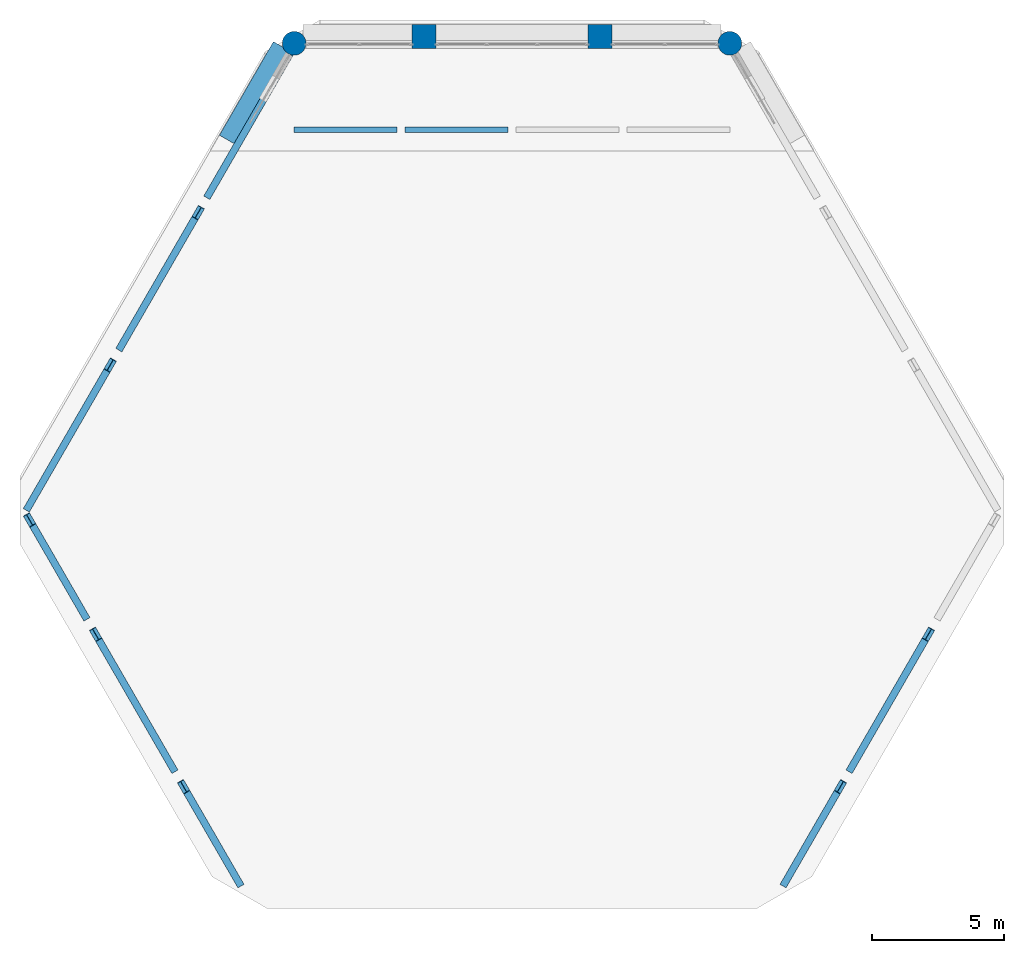
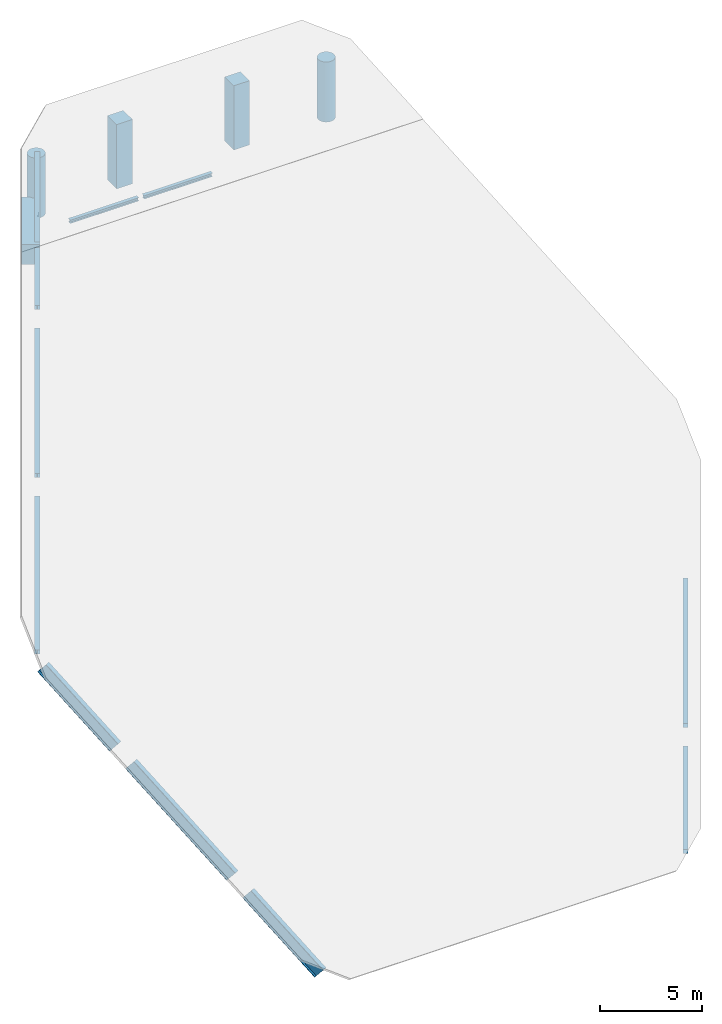
# One storey, part 1 of 7: 10 members, 4 columns, 1 beam.
"""IFC4 building model written with IfcOpenShell, lengths in metres."""

from ifc_helpers import new_model, si_unit, direction, frame, origin, origin_2d, place, context, subcontext, project, spatial, rectangle, circle, i_section, extrude, material, material_profile, profile_set, type_object, element, save


model = new_model("IFC4")

# Units and contexts
model_context = context("Model", 3, precision=1e-05, world=origin(), true_north=direction((0.0, 1.0)))
body_context = subcontext(model_context, "Body", "Model", "MODEL_VIEW")
ifc_project = project(units=[si_unit("LENGTHUNIT", "METRE"), si_unit("AREAUNIT", "SQUARE_METRE"), si_unit("VOLUMEUNIT", "CUBIC_METRE"), si_unit("PLANEANGLEUNIT", "RADIAN"), si_unit("MASSUNIT", "GRAM", prefix="KILO")], contexts=[model_context])

# Site, building, storey
site_placement = place(None, origin())
site = spatial("IfcSite", under=ifc_project, at=site_placement, CompositionType="ELEMENT")
building_placement = place(site_placement, origin())
building = spatial("IfcBuilding", under=site, at=building_placement, Name="Ostrander Bayou Hotel Tower", CompositionType="ELEMENT")
storey_placement = place(building_placement, frame((0.0, 0.0, 302.0)))
storey = spatial("IfcBuildingStorey", under=building, at=storey_placement, Name="Roof 74", CompositionType="ELEMENT", Elevation=302.0)

# Columns
ifc_material_1 = material(Name="Concrete f'c 60 MPa", Category="concrete")
ifc_material_profile_1 = material_profile(ifc_material_1, circle(Radius=0.449951171875, at=origin_2d()))
ifc_profile_set_1 = profile_set([ifc_material_profile_1], Name="Concrete f'c 60 MPa")
column_type_1 = type_object("IfcColumnType", Name="C7 round column 900 mm f'c 60 MPa", PredefinedType="COLUMN", material=ifc_profile_set_1)
for number, where, z_axis, x_axis, name in (
    (1, (-8.2421875, 16.588623046875, -1.199951171875), (0.0, 0.0, 1.0), (1.0, 0.0, 0.0), "C7 L74 K0"),
    (2, (8.2421875, 16.588623046875, -1.199951171875), (0.0, 0.0, 1.0), (1.0, 0.0, 0.0), "C7 L74 K5"),
):
    element("IfcColumn", number, at=place(storey_placement, frame(where, z_axis=z_axis, x_axis=x_axis)), inside=storey, type_object=column_type_1, Name=name, PredefinedType="COLUMN", context=body_context, shape_type="SweptSolid", body=[
        extrude(circle(Radius=0.449951171875, at=origin_2d()), origin(), (0.0, 0.0, 1.0), 3.616455078125),
    ])
ifc_material_2 = material(Name="Concrete f'c 60 MPa", Category="concrete")
ifc_material_profile_2 = material_profile(ifc_material_2, rectangle(XDim=0.89990234375, YDim=0.89990234375, at=origin_2d()))
ifc_profile_set_2 = profile_set([ifc_material_profile_2], Name="Concrete f'c 60 MPa")
column_type_2 = type_object("IfcColumnType", Name="C8 square column 900 x 900 mm f'c 60 MPa", PredefinedType="COLUMN", material=ifc_profile_set_2)
for number, where, z_axis, x_axis, name in (
    (3, (3.329345703125, 16.85009765625, -1.199951171875), (0.0, 0.0, 1.0), (1.0, 0.0, 0.0), "C8 L74 N1"),
    (4, (-3.329345703125, 16.85009765625, -1.199951171875), (0.0, 0.0, 1.0), (1.0, 0.0, 0.0), "C8 L74 N2"),
):
    element("IfcColumn", number, at=place(storey_placement, frame(where, z_axis=z_axis, x_axis=x_axis)), inside=storey, type_object=column_type_2, Name=name, PredefinedType="COLUMN", context=body_context, shape_type="SweptSolid", body=[
        extrude(rectangle(XDim=0.89990234375, YDim=0.89990234375, at=origin_2d()), origin(), (0.0, 0.0, 1.0), 3.862548828125),
    ])

# Members
ifc_material_3 = material(Name="Steel ASTM A992", Category="steel")
ifc_material_profile_3 = material_profile(ifc_material_3, i_section(OverallWidth=0.203125, OverallDepth=0.203125, WebThickness=0.00732421875, FlangeThickness=0.010986328125, at=origin_2d()))
ifc_profile_set_3 = profile_set([ifc_material_profile_3], Name="Steel ASTM A992")
member_type_1 = type_object("IfcMemberType", Name="CP4 crown purlin W8x31", PredefinedType="PURLIN", material=ifc_profile_set_3)
member_1_placement = place(storey_placement, frame((-8.24609375, 13.322021484375, 0.30810546875), z_axis=(1.0, 0.0, 0.0), x_axis=(0.0, 1.0, 0.0)))
element("IfcMember", 5, at=member_1_placement, inside=storey, type_object=member_type_1, Name="CP4 P1-11", PredefinedType="PURLIN", context=body_context, shape_type="SweptSolid", body=[
    extrude(i_section(OverallWidth=0.203125, OverallDepth=0.203125, WebThickness=0.00732421875, FlangeThickness=0.010986328125, at=origin_2d()), origin(), (0.0, 0.0, 1.0), 3.89208984375),
])
member_2_placement = place(storey_placement, frame((-4.046142578125, 13.322021484375, 0.30810546875), z_axis=(1.0, 0.0, 0.0), x_axis=(0.0, 1.0, 0.0)))
element("IfcMember", 6, at=member_2_placement, inside=storey, type_object=member_type_1, Name="CP4 P2-22", PredefinedType="PURLIN", context=body_context, shape_type="SweptSolid", body=[
    extrude(i_section(OverallWidth=0.203125, OverallDepth=0.203125, WebThickness=0.00732421875, FlangeThickness=0.010986328125, at=origin_2d()), origin(), (0.0, 0.0, 1.0), 3.892333984375),
])
ifc_material_4 = material(Name="Steel ASTM A992", Category="steel")
ifc_material_profile_4 = material_profile(ifc_material_4, i_section(OverallWidth=0.26708984375, OverallDepth=0.779052734375, WebThickness=0.0166015625, FlangeThickness=0.030029296875, at=origin_2d()))
ifc_profile_set_4 = profile_set([ifc_material_profile_4], Name="Steel ASTM A992")
member_type_2 = type_object("IfcMemberType", Name="CR2 crown rafter W30x148", PredefinedType="RAFTER", material=ifc_profile_set_4)
member_3_placement = place(storey_placement, frame((-8.37451171875, 16.2421875, 2.625), z_axis=(-0.387451114147, -0.671091879347, -0.632073827666), x_axis=(0.866027618295, -0.499996164336, 0.0)))
element("IfcMember", 7, at=member_3_placement, inside=storey, type_object=member_type_2, Name="CR2 NW 1", PredefinedType="RAFTER", context=body_context, shape_type="SweptSolid", body=[
    extrude(i_section(OverallWidth=0.26708984375, OverallDepth=0.779052734375, WebThickness=0.0166015625, FlangeThickness=0.030029296875, at=origin_2d()), origin(), (0.0, 0.0, 1.0), 7.871337890625),
])
member_4_placement = place(storey_placement, frame((-11.874267578125, 10.180419921875, -3.08447265625), z_axis=(-0.387453729233, -0.67109587763, -0.632067979518), x_axis=(0.866027446915, -0.499996461177, 0.0)))
element("IfcMember", 8, at=member_4_placement, inside=storey, type_object=member_type_2, Name="CR2 NW 2", PredefinedType="RAFTER", context=body_context, shape_type="SweptSolid", body=[
    extrude(i_section(OverallWidth=0.26708984375, OverallDepth=0.779052734375, WebThickness=0.0166015625, FlangeThickness=0.030029296875, at=origin_2d()), origin(), (0.0, 0.0, 1.0), 7.431640625),
])
member_5_placement = place(storey_placement, frame((-15.20361328125, 4.413818359375, -8.515869140625), z_axis=(-0.387459178831, -0.671074831348, -0.632086984102), x_axis=(0.866017611601, -0.500013496215, 0.0)))
element("IfcMember", 9, at=member_5_placement, inside=storey, type_object=member_type_2, Name="CR2 NW 3", PredefinedType="RAFTER", context=body_context, shape_type="SweptSolid", body=[
    extrude(i_section(OverallWidth=0.26708984375, OverallDepth=0.779052734375, WebThickness=0.0166015625, FlangeThickness=0.030029296875, at=origin_2d()), origin(), (0.0, 0.0, 1.0), 7.871337890625),
])
member_6_placement = place(storey_placement, frame((-18.25341796875, -1.4443359375, -14.03369140625), z_axis=(0.387476727048, -0.671087523329, -0.632062751654), x_axis=(0.86601190052, 0.50002338761, 0.0)))
element("IfcMember", 10, at=member_6_placement, inside=storey, type_object=member_type_2, Name="CR2 SW 1", PredefinedType="RAFTER", context=body_context, shape_type="SweptSolid", body=[
    extrude(i_section(OverallWidth=0.26708984375, OverallDepth=0.779052734375, WebThickness=0.0166015625, FlangeThickness=0.030029296875, at=origin_2d()), origin(), (0.0, 0.0, 1.0), 5.286376953125),
])
member_7_placement = place(storey_placement, frame((-15.755126953125, -5.771484375, -18.109130859375), z_axis=(0.387462271376, -0.671077820706, -0.632081914641), x_axis=(0.866016847947, 0.500014818852, 0.0)))
element("IfcMember", 11, at=member_7_placement, inside=storey, type_object=member_type_2, Name="CR2 SW 2", PredefinedType="RAFTER", context=body_context, shape_type="SweptSolid", body=[
    extrude(i_section(OverallWidth=0.26708984375, OverallDepth=0.779052734375, WebThickness=0.0166015625, FlangeThickness=0.030029296875, at=origin_2d()), origin(), (0.0, 0.0, 1.0), 7.431396484375),
])
for number, where, z_axis, x_axis, name in (
    (12, (-12.42578125, -11.5380859375, -23.540771484375), (0.387476727048, -0.671087523329, -0.632062751654), (0.86601190052, 0.50002338761, 0.0), "CR2 SW 3"),
    (13, (10.37744140625, -15.085693359375, -26.882080078125), (0.387476727048, 0.671087523329, 0.632062751654), (-0.86601190052, 0.50002338761, 0.0), "CR2 SE 1"),
):
    element("IfcMember", number, at=place(storey_placement, frame(where, z_axis=z_axis, x_axis=x_axis)), inside=storey, type_object=member_type_2, Name=name, PredefinedType="RAFTER", context=body_context, shape_type="SweptSolid", body=[
        extrude(i_section(OverallWidth=0.26708984375, OverallDepth=0.779052734375, WebThickness=0.0166015625, FlangeThickness=0.030029296875, at=origin_2d()), origin(), (0.0, 0.0, 1.0), 5.286376953125),
    ])
member_8_placement = place(storey_placement, frame((12.875732421875, -10.758544921875, -22.806396484375), z_axis=(0.387462271376, 0.671077820706, 0.632081914641), x_axis=(-0.866016847947, 0.500014818852, 0.0)))
element("IfcMember", 14, at=member_8_placement, inside=storey, type_object=member_type_2, Name="CR2 SE 2", PredefinedType="RAFTER", context=body_context, shape_type="SweptSolid", body=[
    extrude(i_section(OverallWidth=0.26708984375, OverallDepth=0.779052734375, WebThickness=0.0166015625, FlangeThickness=0.030029296875, at=origin_2d()), origin(), (0.0, 0.0, 1.0), 7.431396484375),
])

# Beam
ifc_material_5 = material(Name="Concrete f'c 60 MPa", Category="concrete")
ifc_material_profile_5 = material_profile(ifc_material_5, rectangle(XDim=0.89990234375, YDim=1.199951171875, at=origin_2d()))
ifc_profile_set_5 = profile_set([ifc_material_profile_5], Name="Concrete f'c 60 MPa")
beam_type = type_object("IfcBeamType", Name="SP4 spandrel beam 900 x 1200 mm f'c 60 MPa", PredefinedType="SPANDREL", material=ifc_profile_set_5)
beam_placement = place(storey_placement, frame((-8.63671875, 16.427978515625, -0.60009765625), z_axis=(-0.499960218317, -0.866048370532, 0.0), x_axis=(0.866048370532, -0.499960218317, 0.0)))
element("IfcBeam", 15, at=beam_placement, inside=storey, type_object=beam_type, Name="SP4 L74 NW-1", PredefinedType="SPANDREL", context=body_context, shape_type="SweptSolid", body=[
    extrude(rectangle(XDim=0.89990234375, YDim=1.199951171875, at=origin_2d()), origin(), (0.0, 0.0, 1.0), 4.088623046875),
])

save(model, "model.ifc")
